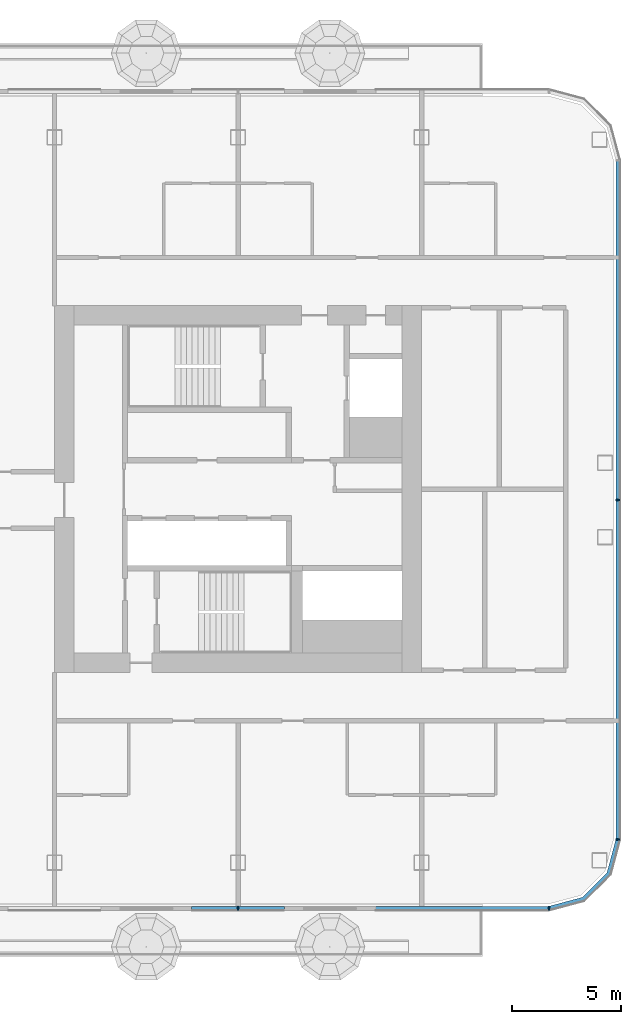
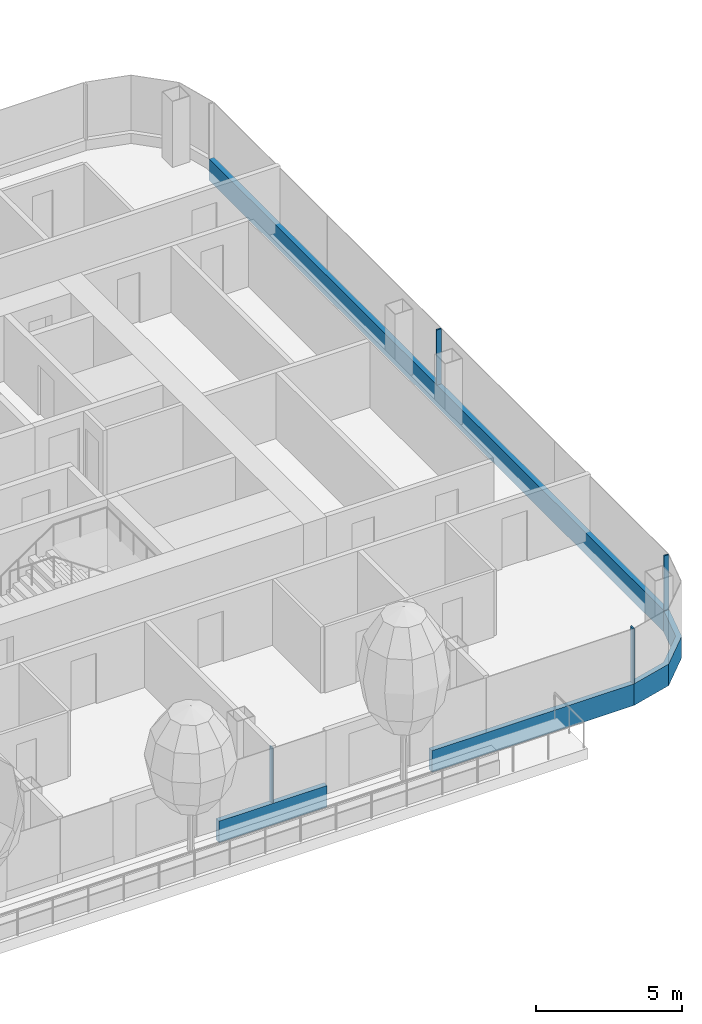
# One storey, part 7 of 29: 8 members, 3 elements without a shape of their own.
"""IFC4 building model written with IfcOpenShell, lengths in metres."""

from ifc_helpers import new_model, si_unit, direction, frame, origin, origin_2d, place, context, subcontext, project, spatial, polyline, rectangle, outline, extrude, material, layer, layer_set, material_profile, profile_set, type_object, element, aggregate, save


model = new_model("IFC4")

# Units and contexts
model_context = context("Model", 3, precision=1e-05, world=origin(), true_north=direction((0.0, 1.0)))
body_context = subcontext(model_context, "Body", "Model", "MODEL_VIEW")
ifc_project = project(units=[si_unit("LENGTHUNIT", "METRE"), si_unit("AREAUNIT", "SQUARE_METRE"), si_unit("VOLUMEUNIT", "CUBIC_METRE"), si_unit("PLANEANGLEUNIT", "RADIAN"), si_unit("MASSUNIT", "GRAM", prefix="KILO")], contexts=[model_context])

# Site, building, storey
site_placement = place(None, origin())
site = spatial("IfcSite", under=ifc_project, at=site_placement, CompositionType="ELEMENT")
building_placement = place(site_placement, origin())
building = spatial("IfcBuilding", under=site, at=building_placement, Name="Hakoniwa Tower and Hamabe Station Hall", CompositionType="ELEMENT")
storey_placement = place(building_placement, frame((0.0, 0.0, 163.0)))
storey = spatial("IfcBuildingStorey", under=building, at=storey_placement, Name="L46", CompositionType="ELEMENT", Elevation=163.0)

# Curtain wall, member
ifc_material_1 = material(Name="Dark low-e laminated glass", Category="glass")
ifc_layer = layer(ifc_material_1, 0.199951171875)
ifc_layer_set = layer_set([ifc_layer], Name="CW-1 UNITISED GUEST")
curtain_wall_type = type_object("IfcCurtainWallType", Name="CW-1 UNITISED GUEST", PredefinedType="NOTDEFINED", material=ifc_layer_set)
curtain_wall_1_placement = place(storey_placement, origin())
curtain_wall_1 = element("IfcCurtainWall", 1, at=curtain_wall_1_placement, inside=storey, type_object=curtain_wall_type, Name="CW-1 curtain wall", PredefinedType="NOTDEFINED")
ifc_material_2 = material(Name="Aluminium 6063-T5 black anodised", Category="aluminium")
ifc_material_profile_1 = material_profile(ifc_material_2, rectangle(XDim=0.199951171875, YDim=0.89990234375, at=origin_2d()), Name="CW SLAB-EDGE BAND 900X200")
ifc_profile_set_1 = profile_set([ifc_material_profile_1], Name="Aluminium 6063-T5 black anodised")
member_type_1 = type_object("IfcMemberType", Name="CW SLAB-EDGE BAND 900X200", PredefinedType="USERDEFINED", material=ifc_profile_set_1)
member_1_placement = place(storey_placement, frame((42.60009765625, -16.03955078125, -0.10009765625), z_axis=(0.0, 1.0, 0.0), x_axis=(-1.0, 0.0, 0.0)))
member_1 = element("IfcMember", 2, at=member_1_placement, type_object=member_type_1, Name="CW-1 transom", ObjectType="TRANSOM", PredefinedType="USERDEFINED", context=body_context, shape_type="SweptSolid", body=[
    extrude(rectangle(XDim=0.199951171875, YDim=0.89990234375, at=origin_2d()), origin(), (0.0, 0.0, 1.0), 31.0791015625),
])

# Curtain wall, members
curtain_wall_2_placement = place(storey_placement, origin())
curtain_wall_2 = element("IfcCurtainWall", 3, at=curtain_wall_2_placement, inside=storey, type_object=curtain_wall_type, Name="CW-1 curtain wall", PredefinedType="NOTDEFINED")
member_2_placement = place(storey_placement, frame((23.070068359375, -19.199951171875, -0.10009765625), z_axis=(1.0, 0.0, 0.0), x_axis=(0.0, 1.0, 0.0)))
member_2 = element("IfcMember", 4, at=member_2_placement, type_object=member_type_1, Name="CW-1 transom", ObjectType="TRANSOM", PredefinedType="USERDEFINED", context=body_context, shape_type="SweptSolid", body=[
    extrude(rectangle(XDim=0.199951171875, YDim=0.89990234375, at=origin_2d()), origin(), (0.0, 0.0, 1.0), 4.260009765625),
])
member_3_placement = place(storey_placement, frame((31.469970703125, -19.199951171875, -0.10009765625), z_axis=(1.0, 0.0, 0.0), x_axis=(0.0, 1.0, 0.0)))
member_3 = element("IfcMember", 5, at=member_3_placement, type_object=member_type_1, Name="CW-1 transom", ObjectType="TRANSOM", PredefinedType="USERDEFINED", context=body_context, shape_type="SweptSolid", body=[
    extrude(rectangle(XDim=0.199951171875, YDim=0.89990234375, at=origin_2d()), origin(), (0.0, 0.0, 1.0), 7.969482421875),
])

# Curtain wall, member
curtain_wall_3_placement = place(storey_placement, origin())
curtain_wall_3 = element("IfcCurtainWall", 6, at=curtain_wall_3_placement, inside=storey, type_object=curtain_wall_type, Name="CW-1 curtain wall", PredefinedType="NOTDEFINED")
member_4_placement = place(storey_placement, frame((0.0, 0.0, -0.550048828125)))
member_4 = element("IfcMember", 7, at=member_4_placement, type_object=member_type_1, Name="CW-1 transom", ObjectType="TRANSOM", PredefinedType="USERDEFINED", context=body_context, shape_type="SweptSolid", body=[
    extrude(outline(polyline([(39.439453125, -19.300048828125), (41.05517578125, -18.866943359375), (42.26708984375, -17.6552734375), (42.699951171875, -16.03955078125), (42.5068359375, -15.98779296875), (42.087646484375, -17.5517578125), (40.95166015625, -18.687744140625), (39.3876953125, -19.10693359375), (39.439453125, -19.300048828125)])), origin(), (0.0, 0.0, 1.0), 0.900146484375),
])
aggregate(curtain_wall_3, [member_4])

# Member
ifc_material_3 = material(Name="Aluminium 6063-T5 black anodised", Category="aluminium")
ifc_material_profile_2 = material_profile(ifc_material_3, rectangle(XDim=0.06005859375, YDim=0.179931640625, at=origin_2d()), Name="CW-1 MULLION 60X180")
ifc_profile_set_2 = profile_set([ifc_material_profile_2], Name="Aluminium 6063-T5 black anodised")
member_type_2 = type_object("IfcMemberType", Name="CW-1 MULLION 60X180", PredefinedType="MULLION", material=ifc_profile_set_2)
member_5_placement = place(storey_placement, frame((42.58203125, -16.03955078125, 0.35009765625), z_axis=(0.0, 0.0, 1.0), x_axis=(0.0, 1.0, 0.0)))
member_5 = element("IfcMember", 8, at=member_5_placement, type_object=member_type_2, Name="CW-1 mullion", PredefinedType="MULLION", context=body_context, shape_type="SweptSolid", body=[
    extrude(rectangle(XDim=0.06005859375, YDim=0.179931640625, at=origin_2d()), origin(), (0.0, 0.0, 1.0), 2.2998046875),
])

member_6_placement = place(storey_placement, frame((42.58203125, -0.5, 0.35009765625), z_axis=(0.0, 0.0, 1.0), x_axis=(0.0, 1.0, 0.0)))
member_6 = element("IfcMember", 9, at=member_6_placement, type_object=member_type_2, Name="CW-1 mullion", PredefinedType="MULLION", context=body_context, shape_type="SweptSolid", body=[
    extrude(rectangle(XDim=0.06005859375, YDim=0.179931640625, at=origin_2d()), origin(), (0.0, 0.0, 1.0), 2.2998046875),
])

aggregate(curtain_wall_1, [member_5, member_6, member_1])

member_7_placement = place(storey_placement, frame((25.199951171875, -19.181884765625, 0.35009765625), z_axis=(0.0, 0.0, 1.0), x_axis=(1.0, 0.0, 0.0)))
member_7 = element("IfcMember", 10, at=member_7_placement, type_object=member_type_2, Name="CW-1 mullion", PredefinedType="MULLION", context=body_context, shape_type="SweptSolid", body=[
    extrude(rectangle(XDim=0.06005859375, YDim=0.179931640625, at=origin_2d()), origin(), (0.0, 0.0, 1.0), 2.2998046875),
])

member_8_placement = place(storey_placement, frame((39.439453125, -19.181884765625, 0.35009765625), z_axis=(0.0, 0.0, 1.0), x_axis=(1.0, 0.0, 0.0)))
member_8 = element("IfcMember", 11, at=member_8_placement, type_object=member_type_2, Name="CW-1 mullion", PredefinedType="MULLION", context=body_context, shape_type="SweptSolid", body=[
    extrude(rectangle(XDim=0.06005859375, YDim=0.179931640625, at=origin_2d()), origin(), (0.0, 0.0, 1.0), 2.2998046875),
])

aggregate(curtain_wall_2, [member_7, member_8, member_2, member_3])

save(model, "model.ifc")
